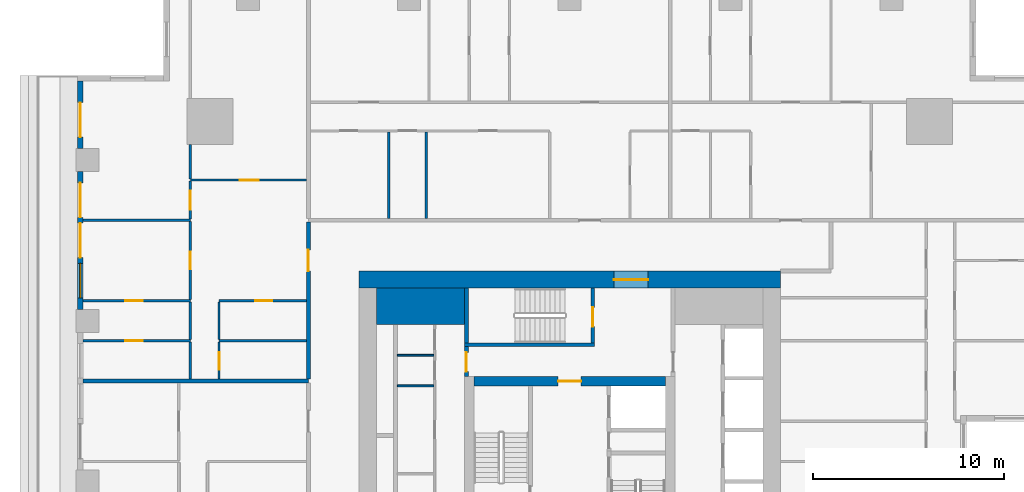
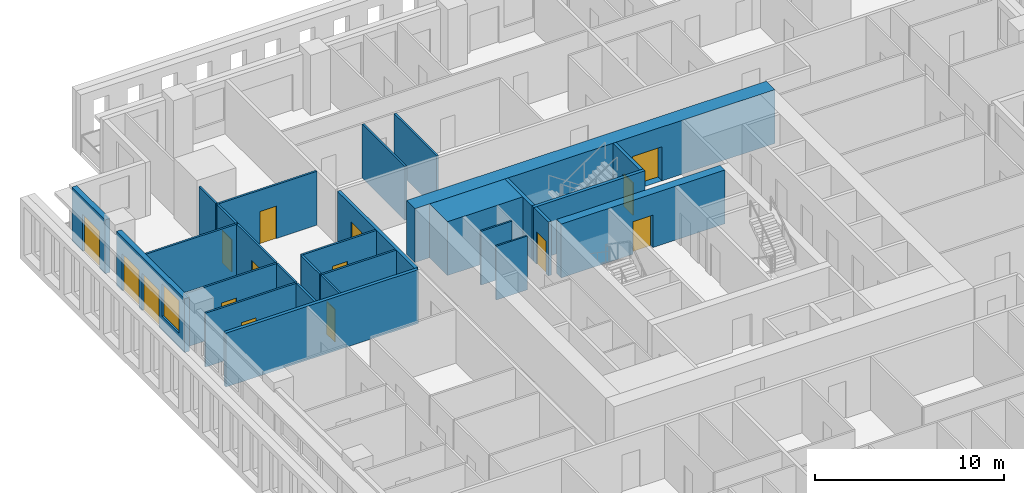
# One storey, part 7 of 16: 28 walls, 15 doors, 1 window, 16 openings.
"""IFC4 building model written with IfcOpenShell, lengths in metres."""

from ifc_helpers import new_model, si_unit, direction, frame, frame_2d, origin, place, context, subcontext, project, spatial, rectangle, extrude, material, layer, layer_set, type_object, element, fill, save


model = new_model("IFC4")

# Units and contexts
model_context = context("Model", 3, precision=1e-05, world=origin(), true_north=direction((0.0, 1.0)))
body_context = subcontext(model_context, "Body", "Model", "MODEL_VIEW")
ifc_project = project(units=[si_unit("LENGTHUNIT", "METRE"), si_unit("AREAUNIT", "SQUARE_METRE"), si_unit("VOLUMEUNIT", "CUBIC_METRE"), si_unit("PLANEANGLEUNIT", "RADIAN"), si_unit("MASSUNIT", "GRAM", prefix="KILO")], contexts=[model_context])

# Site, building, storey
site_placement = place(None, origin())
site = spatial("IfcSite", under=ifc_project, at=site_placement, CompositionType="ELEMENT")
building_placement = place(site_placement, origin())
building = spatial("IfcBuilding", under=site, at=building_placement, Name="Khepri Terraces", CompositionType="ELEMENT")
storey_placement = place(building_placement, frame((0.0, 0.0, 192.300048828125)))
storey = spatial("IfcBuildingStorey", under=building, at=storey_placement, Name="L45", CompositionType="ELEMENT", Elevation=192.300048828125)

# Walls
ifc_material_1 = material(Name="Concrete C50/60", Category="concrete")
ifc_layer_1 = layer(ifc_material_1, 1.89990234375, Name="Concrete C50/60", Category="concrete")
ifc_layer_set_1 = layer_set([ifc_layer_1], Name="Concrete C50/60")
wall_type_1 = type_object("IfcWallType", Name="Core wall 1900 C50/60", PredefinedType="SHEAR", material=ifc_layer_set_1)
wall_1_placement = place(storey_placement, frame((-10.10009765625, 9.14990234375, 0.0), z_axis=(0.0, 0.0, 1.0), x_axis=(1.0, 0.0, 0.0)))
element("IfcWall", 1, at=wall_1_placement, inside=storey, type_object=wall_type_1, Name="Core wall PR03 L45", PredefinedType="SHEAR", context=body_context, shape_type="SweptSolid", body=[
    extrude(rectangle(XDim=4.60009765625, YDim=1.89990234375, at=frame_2d((2.300048828125, 0.0))), origin(), (0.0, 0.0, 1.0), 3.47998046875),
])
ifc_layer_2 = layer(ifc_material_1, 0.199951171875, Name="Concrete C50/60", Category="concrete")
ifc_layer_set_2 = layer_set([ifc_layer_2], Name="Concrete C50/60")
wall_type_2 = type_object("IfcWallType", Name="Core wall 200 C50/60", PredefinedType="SHEAR", material=ifc_layer_set_2)
wall_2_placement = place(storey_placement, frame((-5.5, 7.14990234375, 0.0), z_axis=(0.0, 0.0, 1.0), x_axis=(1.0, 0.0, 0.0)))
element("IfcWall", 2, at=wall_2_placement, inside=storey, type_object=wall_type_2, Name="Core wall ST05 L45", PredefinedType="SHEAR", context=body_context, shape_type="SweptSolid", body=[
    extrude(rectangle(XDim=6.800048828125, YDim=0.199951171875, at=frame_2d((3.39990234375, 0.0))), origin(), (0.0, 0.0, 1.0), 3.47998046875),
])
wall_3_placement = place(storey_placement, frame((-5.39990234375, 7.25, 0.0), z_axis=(0.0, 0.0, 1.0), x_axis=(0.0, 1.0, 0.0)))
element("IfcWall", 3, at=wall_3_placement, inside=storey, type_object=wall_type_2, Name="Core wall ST06 L45", PredefinedType="SHEAR", context=body_context, shape_type="SweptSolid", body=[
    extrude(rectangle(XDim=2.85009765625, YDim=0.199951171875, at=frame_2d((1.425048828125, 0.0))), origin(), (0.0, 0.0, 1.0), 3.47998046875),
])

# Wall, opening, door
wall_4_placement = place(storey_placement, frame((1.199951171875, 7.25, 0.0), z_axis=(0.0, 0.0, 1.0), x_axis=(0.0, 1.0, 0.0)))
wall_4 = element("IfcWall", 4, at=wall_4_placement, inside=storey, type_object=wall_type_2, Name="Core wall ST07 L45", PredefinedType="SHEAR", context=body_context, shape_type="SweptSolid", body=[
    extrude(rectangle(XDim=2.85009765625, YDim=0.199951171875, at=frame_2d((1.425048828125, 0.0))), origin(), (0.0, 0.0, 1.0), 3.47998046875),
])
opening_1_placement = place(wall_4_placement, frame((0.85009765625, 0.0, 0.0)))
opening_1 = element("IfcOpeningElement", 5, at=opening_1_placement, cuts=wall_4, Name="Opening L45-C15", PredefinedType="OPENING", context=body_context, shape_type="SweptSolid", body=[
    extrude(rectangle(XDim=1.0, YDim=2.10009765625, at=frame_2d((0.5, 1.050048828125))), frame((0.0, 0.10986328125, 0.0), z_axis=(0.0, -1.0, 0.0), x_axis=(1.0, 0.0, 0.0)), (0.0, 0.0, 1.0), 0.219970703125),
])
ifc_material_2 = material(Name="Painted steel", Category="steel")
door_type_1 = type_object("IfcDoorType", Name="DR-CORE-STAIR-1000", OperationType="NOTDEFINED", PredefinedType="DOOR", material=ifc_material_2)
door_1_placement = place(opening_1_placement, origin())
door_1 = element("IfcDoor", 6, at=door_1_placement, inside=storey, type_object=door_type_1, Name="Stair door L45-C15", OperationType="SINGLE_SWING_LEFT", OverallHeight=2.10009765625, OverallWidth=1.0, PredefinedType="DOOR", context=body_context, shape_type="SweptSolid", body=[
    extrude(rectangle(XDim=1.0, YDim=2.10009765625, at=frame_2d((0.5, 1.050048828125))), frame((0.0, 0.02490234375, 0.0), z_axis=(0.0, -1.0, 0.0), x_axis=(1.0, 0.0, 0.0)), (0.0, 0.0, 1.0), 0.050048828125),
])
fill(opening_1, door_1)

ifc_layer_3 = layer(ifc_material_1, 0.5, Name="Concrete C50/60", Category="concrete")
ifc_layer_set_3 = layer_set([ifc_layer_3], Name="Concrete C50/60")
wall_type_3 = type_object("IfcWallType", Name="Core wall 500 C50/60", PredefinedType="SHEAR", material=ifc_layer_set_3)
wall_5_placement = place(storey_placement, frame((-5.0, 5.25, 0.0), z_axis=(0.0, 0.0, 1.0), x_axis=(1.0, 0.0, 0.0)))
wall_5 = element("IfcWall", 7, at=wall_5_placement, inside=storey, type_object=wall_type_3, Name="Core wall BX04 L45", PredefinedType="SHEAR", context=body_context, shape_type="SweptSolid", body=[
    extrude(rectangle(XDim=10.0, YDim=0.5, at=frame_2d((5.0, 0.0))), origin(), (0.0, 0.0, 1.0), 3.47998046875),
])
opening_2_placement = place(wall_5_placement, frame((4.39990234375, 0.0, 0.0)))
opening_2 = element("IfcOpeningElement", 8, at=opening_2_placement, cuts=wall_5, Name="Opening L45-C13", PredefinedType="OPENING", context=body_context, shape_type="SweptSolid", body=[
    extrude(rectangle(XDim=1.199951171875, YDim=2.10009765625, at=frame_2d((0.60009765625, 1.050048828125))), frame((0.0, 0.260009765625, 0.0), z_axis=(0.0, -1.0, 0.0), x_axis=(1.0, 0.0, 0.0)), (0.0, 0.0, 1.0), 0.52001953125),
])
door_type_2 = type_object("IfcDoorType", Name="DR-CORE-FF-LOBBY-1200", OperationType="NOTDEFINED", PredefinedType="DOOR", material=ifc_material_2)
door_2_placement = place(opening_2_placement, frame((1.199951171875, 0.0, 0.0), z_axis=(0.0, 0.0, 1.0), x_axis=(-1.0, 0.0, 0.0)))
door_2 = element("IfcDoor", 9, at=door_2_placement, inside=storey, type_object=door_type_2, Name="Firefighting lobby door L45-C13", OperationType="SINGLE_SWING_LEFT", OverallHeight=2.10009765625, OverallWidth=1.199951171875, PredefinedType="DOOR", context=body_context, shape_type="SweptSolid", body=[
    extrude(rectangle(XDim=1.199951171875, YDim=2.10009765625, at=frame_2d((0.60009765625, 1.050048828125))), frame((0.0, 0.02490234375, 0.0), z_axis=(0.0, -1.0, 0.0), x_axis=(1.0, 0.0, 0.0)), (0.0, 0.0, 1.0), 0.050048828125),
])
fill(opening_2, door_2)

ifc_layer_4 = layer(ifc_material_1, 0.89990234375, Name="Concrete C50/60", Category="concrete")
ifc_layer_set_4 = layer_set([ifc_layer_4], Name="Concrete C50/60")
wall_type_4 = type_object("IfcWallType", Name="Core wall 900 C50/60", PredefinedType="SHEAR", material=ifc_layer_set_4)
wall_6_placement = place(storey_placement, frame((-11.0, 10.550048828125, 0.0), z_axis=(0.0, 0.0, 1.0), x_axis=(1.0, 0.0, 0.0)))
wall_6 = element("IfcWall", 10, at=wall_6_placement, inside=storey, type_object=wall_type_4, Name="Core wall OW-N L45", PredefinedType="SHEAR", context=body_context, shape_type="SweptSolid", body=[
    extrude(rectangle(XDim=22.0, YDim=0.89990234375, at=frame_2d((11.0, 0.0))), origin(), (0.0, 0.0, 1.0), 3.47998046875),
])
opening_3_placement = place(wall_6_placement, frame((13.300048828125, 0.0, 0.0)))
opening_3 = element("IfcOpeningElement", 11, at=opening_3_placement, cuts=wall_6, Name="Opening L45-C20", PredefinedType="OPENING", context=body_context, shape_type="SweptSolid", body=[
    extrude(rectangle(XDim=1.800048828125, YDim=2.199951171875, at=frame_2d((0.89990234375, 1.10009765625))), frame((0.0, 0.4599609375, 0.0), z_axis=(0.0, -1.0, 0.0), x_axis=(1.0, 0.0, 0.0)), (0.0, 0.0, 1.0), 0.919921875),
])
door_type_3 = type_object("IfcDoorType", Name="DR-CORE-ENTRANCE-1800", OperationType="NOTDEFINED", PredefinedType="DOOR", material=ifc_material_2)
door_3_placement = place(opening_3_placement, origin())
door_3 = element("IfcDoor", 12, at=door_3_placement, inside=storey, type_object=door_type_3, Name="Core entrance door pair L45-C20", OperationType="DOUBLE_DOOR_SINGLE_SWING", OverallHeight=2.199951171875, OverallWidth=1.800048828125, PredefinedType="DOOR", context=body_context, shape_type="SweptSolid", body=[
    extrude(rectangle(XDim=1.800048828125, YDim=2.199951171875, at=frame_2d((0.89990234375, 1.10009765625))), frame((0.0, 0.02490234375, 0.0), z_axis=(0.0, -1.0, 0.0), x_axis=(1.0, 0.0, 0.0)), (0.0, 0.0, 1.0), 0.050048828125),
])
fill(opening_3, door_3)

# Walls
ifc_material_3 = material(Name="Fire-rated gypsum board partition")
ifc_layer_5 = layer(ifc_material_3, 0.10009765625, Name="Fire-rated gypsum board partition")
ifc_layer_set_5 = layer_set([ifc_layer_5], Name="Fire-rated gypsum board partition")
wall_type_5 = type_object("IfcWallType", Name="WL-CORE-PART-100", PredefinedType="PARTITIONING", material=ifc_layer_set_5)
for number, where, z_axis, x_axis, name in (
    (13, (-9.0, 5.0, 0.0), (0.0, 0.0, 1.0), (1.0, 0.0, 0.0), "Core partition PT11 L45"),
    (14, (-9.0, 6.60009765625, 0.0), (0.0, 0.0, 1.0), (1.0, 0.0, 0.0), "Core partition PT14 L45"),
):
    element("IfcWall", number, at=place(storey_placement, frame(where, z_axis=z_axis, x_axis=x_axis)), inside=storey, type_object=wall_type_5, Name=name, PredefinedType="PARTITIONING", context=body_context, shape_type="SweptSolid", body=[
        extrude(rectangle(XDim=1.89990234375, YDim=0.10009765625, at=frame_2d((0.949951171875, 0.0))), origin(), (0.0, 0.0, 1.0), 3.47998046875),
    ])

# Wall, opening, door
ifc_layer_6 = layer(ifc_material_3, 0.199951171875, Name="Fire-rated gypsum board partition")
ifc_layer_set_6 = layer_set([ifc_layer_6], Name="Fire-rated gypsum board partition")
wall_type_6 = type_object("IfcWallType", Name="WL-CORE-PART-200", PredefinedType="PARTITIONING", material=ifc_layer_set_6)
wall_7_placement = place(storey_placement, frame((-5.39990234375, 5.5, 0.0), z_axis=(0.0, 0.0, 1.0), x_axis=(0.0, 1.0, 0.0)))
wall_7 = element("IfcWall", 15, at=wall_7_placement, inside=storey, type_object=wall_type_6, Name="Core partition PT12 L45", PredefinedType="PARTITIONING", context=body_context, shape_type="SweptSolid", body=[
    extrude(rectangle(XDim=1.550048828125, YDim=0.199951171875, at=frame_2d((0.77490234375, 0.0))), origin(), (0.0, 0.0, 1.0), 3.47998046875),
])
opening_4_placement = place(wall_7_placement, frame((0.25, 0.0, 0.0)))
opening_4 = element("IfcOpeningElement", 16, at=opening_4_placement, cuts=wall_7, Name="Opening L45-C16", PredefinedType="OPENING", context=body_context, shape_type="SweptSolid", body=[
    extrude(rectangle(XDim=1.0, YDim=2.10009765625, at=frame_2d((0.5, 1.050048828125))), frame((0.0, 0.10986328125, 0.0), z_axis=(0.0, -1.0, 0.0), x_axis=(1.0, 0.0, 0.0)), (0.0, 0.0, 1.0), 0.219970703125),
])
door_type_4 = type_object("IfcDoorType", Name="DR-CORE-LOBBY-1000", OperationType="NOTDEFINED", PredefinedType="DOOR", material=ifc_material_2)
door_4_placement = place(opening_4_placement, frame((1.0, 0.0, 0.0), z_axis=(0.0, 0.0, 1.0), x_axis=(-1.0, 0.0, 0.0)))
door_4 = element("IfcDoor", 17, at=door_4_placement, inside=storey, type_object=door_type_4, Name="Lobby door L45-C16", OperationType="SINGLE_SWING_RIGHT", OverallHeight=2.10009765625, OverallWidth=1.0, PredefinedType="DOOR", context=body_context, shape_type="SweptSolid", body=[
    extrude(rectangle(XDim=1.0, YDim=2.10009765625, at=frame_2d((0.5, 1.050048828125))), frame((0.0, 0.02490234375, 0.0), z_axis=(0.0, -1.0, 0.0), x_axis=(1.0, 0.0, 0.0)), (0.0, 0.0, 1.0), 0.050048828125),
])
fill(opening_4, door_4)

# Wall
ifc_material_4 = material(Name="Fire-rated gypsum plasterboard partition, mineral wool")
ifc_layer_7 = layer(ifc_material_4, 0.199951171875, Name="Fire-rated gypsum plasterboard partition, mineral wool")
ifc_layer_set_7 = layer_set([ifc_layer_7], Name="Fire-rated gypsum plasterboard partition, mineral wool")
wall_type_7 = type_object("IfcWallType", Name="WL-CORR-200", PredefinedType="PARTITIONING", material=ifc_layer_set_7)
wall_8_placement = place(storey_placement, frame((-25.419921875, 5.25, 0.0), z_axis=(0.0, 0.0, 1.0), x_axis=(1.0, 0.0, 0.0)))
element("IfcWall", 18, at=wall_8_placement, inside=storey, type_object=wall_type_7, Name="Partition P-067 L45", PredefinedType="PARTITIONING", context=body_context, shape_type="SweptSolid", body=[
    extrude(rectangle(XDim=11.77001953125, YDim=0.199951171875, at=frame_2d((5.885009765625, 0.0))), origin(), (0.0, 0.0, 1.0), 3.47998046875),
])

# Wall, opening, door
wall_9_placement = place(storey_placement, frame((-13.64990234375, 5.35009765625, 0.0), z_axis=(0.0, 0.0, 1.0), x_axis=(0.0, 1.0, 0.0)))
wall_9 = element("IfcWall", 19, at=wall_9_placement, inside=storey, type_object=wall_type_7, Name="Partition P-070 L45", PredefinedType="PARTITIONING", context=body_context, shape_type="SweptSolid", body=[
    extrude(rectangle(XDim=8.199951171875, YDim=0.199951171875, at=frame_2d((4.10009765625, 0.0))), origin(), (0.0, 0.0, 1.0), 3.47998046875),
])
opening_5_placement = place(wall_9_placement, frame((5.64990234375, 0.0, 0.0)))
opening_5 = element("IfcOpeningElement", 20, at=opening_5_placement, cuts=wall_9, Name="Opening D1", PredefinedType="OPENING", context=body_context, shape_type="SweptSolid", body=[
    extrude(rectangle(XDim=1.10009765625, YDim=2.39990234375, at=frame_2d((0.550048828125, 1.199951171875))), frame((0.0, 0.10986328125, 0.0), z_axis=(0.0, -1.0, 0.0), x_axis=(1.0, 0.0, 0.0)), (0.0, 0.0, 1.0), 0.219970703125),
])
ifc_material_5 = material(Name="Solid-core timber door leaf, flat entrance door", Category="wood")
door_type_5 = type_object("IfcDoorType", Name="DR-ENT-1100", OperationType="NOTDEFINED", PredefinedType="DOOR", material=ifc_material_5)
door_5_placement = place(opening_5_placement, origin())
door_5 = element("IfcDoor", 21, at=door_5_placement, inside=storey, type_object=door_type_5, Name="Flat D1 entrance door", OperationType="SINGLE_SWING_RIGHT", OverallHeight=2.39990234375, OverallWidth=1.10009765625, PredefinedType="DOOR", context=body_context, shape_type="SweptSolid", body=[
    extrude(rectangle(XDim=1.10009765625, YDim=2.39990234375, at=frame_2d((0.550048828125, 1.199951171875))), frame((0.0, 0.02490234375, 0.0), z_axis=(0.0, -1.0, 0.0), x_axis=(1.0, 0.0, 0.0)), (0.0, 0.0, 1.0), 0.050048828125),
])
fill(opening_5, door_5)

ifc_material_6 = material(Name="Precast concrete C50/60 warm stone", Category="masonry")
ifc_layer_8 = layer(ifc_material_6, 0.300048828125, Name="Precast concrete C50/60 warm stone", Category="masonry")
ifc_layer_set_8 = layer_set([ifc_layer_8], Name="Precast concrete C50/60 warm stone")
wall_type_8 = type_object("IfcWallType", Name="WL-EXT-PRECAST-300", PredefinedType="STANDARD", material=ifc_layer_set_8)
wall_10_placement = place(storey_placement, frame((-25.570068359375, 20.919921875, 0.0), z_axis=(0.0, 0.0, 1.0), x_axis=(0.0, -1.0, 0.0)))
wall_10 = element("IfcWall", 22, at=wall_10_placement, inside=storey, type_object=wall_type_8, Name="External wall L45 W", PredefinedType="STANDARD", context=body_context, shape_type="SweptSolid", body=[
    extrude(rectangle(XDim=3.52001953125, YDim=0.300048828125, at=frame_2d((1.760009765625, 0.0))), origin(), (0.0, 0.0, 1.0), 3.47998046875),
])
opening_6_placement = place(wall_10_placement, frame((1.1201171875, 0.0, 0.0)))
opening_6 = element("IfcOpeningElement", 23, at=opening_6_placement, cuts=wall_10, Name="Opening ED-L45-11", PredefinedType="OPENING", context=body_context, shape_type="SweptSolid", body=[
    extrude(rectangle(XDim=1.800048828125, YDim=2.39990234375, at=frame_2d((0.89990234375, 1.199951171875))), frame((0.0, 0.16015625, 0.0), z_axis=(0.0, -1.0, 0.0), x_axis=(1.0, 0.0, 0.0)), (0.0, 0.0, 1.0), 0.320068359375),
])
ifc_material_7 = material(Name="Anodised aluminium bronze glazed door", Category="aluminium")
door_type_6 = type_object("IfcDoorType", Name="DR-BAL-SLIDE-1800x2400", OperationType="NOTDEFINED", PredefinedType="DOOR", material=ifc_material_7)
door_6_placement = place(opening_6_placement, origin())
door_6 = element("IfcDoor", 24, at=door_6_placement, inside=storey, type_object=door_type_6, Name="Balcony door L45 W", OperationType="SLIDING_TO_RIGHT", OverallHeight=2.39990234375, OverallWidth=1.800048828125, PredefinedType="DOOR", context=body_context, shape_type="SweptSolid", body=[
    extrude(rectangle(XDim=1.800048828125, YDim=2.39990234375, at=frame_2d((0.89990234375, 1.199951171875))), frame((0.0, 0.02490234375, 0.0), z_axis=(0.0, -1.0, 0.0), x_axis=(1.0, 0.0, 0.0)), (0.0, 0.0, 1.0), 0.050048828125),
])
fill(opening_6, door_6)

# Wall, openings, doors, window
wall_11_placement = place(storey_placement, frame((-25.570068359375, 16.199951171875, 0.0), z_axis=(0.0, 0.0, 1.0), x_axis=(0.0, -1.0, 0.0)))
wall_11 = element("IfcWall", 25, at=wall_11_placement, inside=storey, type_object=wall_type_8, Name="External wall L45 W", PredefinedType="STANDARD", context=body_context, shape_type="SweptSolid", body=[
    extrude(rectangle(XDim=7.199951171875, YDim=0.300048828125, at=frame_2d((3.60009765625, 0.0))), origin(), (0.0, 0.0, 1.0), 3.47998046875),
])
opening_7_placement = place(wall_11_placement, frame((0.60009765625, 0.0, 0.0)))
opening_7 = element("IfcOpeningElement", 26, at=opening_7_placement, cuts=wall_11, Name="Opening ED-L45-12", PredefinedType="OPENING", context=body_context, shape_type="SweptSolid", body=[
    extrude(rectangle(XDim=1.800048828125, YDim=2.39990234375, at=frame_2d((0.89990234375, 1.199951171875))), frame((0.0, 0.16015625, 0.0), z_axis=(0.0, -1.0, 0.0), x_axis=(1.0, 0.0, 0.0)), (0.0, 0.0, 1.0), 0.320068359375),
])
opening_8_placement = place(wall_11_placement, frame((2.699951171875, 0.0, 0.0)))
opening_8 = element("IfcOpeningElement", 27, at=opening_8_placement, cuts=wall_11, Name="Opening ED-L45-13", PredefinedType="OPENING", context=body_context, shape_type="SweptSolid", body=[
    extrude(rectangle(XDim=1.800048828125, YDim=2.39990234375, at=frame_2d((0.89990234375, 1.199951171875))), frame((0.0, 0.16015625, 0.0), z_axis=(0.0, -1.0, 0.0), x_axis=(1.0, 0.0, 0.0)), (0.0, 0.0, 1.0), 0.320068359375),
])
opening_9_placement = place(wall_11_placement, frame((4.800048828125, 0.0, 0.89990234375)))
opening_9 = element("IfcOpeningElement", 28, at=opening_9_placement, cuts=wall_11, Name="Opening W1", PredefinedType="OPENING", context=body_context, shape_type="SweptSolid", body=[
    extrude(rectangle(XDim=1.800048828125, YDim=2.10009765625, at=frame_2d((0.89990234375, 1.050048828125))), frame((0.0, 0.16015625, 0.0), z_axis=(0.0, -1.0, 0.0), x_axis=(1.0, 0.0, 0.0)), (0.0, 0.0, 1.0), 0.320068359375),
])
door_7_placement = place(opening_7_placement, origin())
door_7 = element("IfcDoor", 29, at=door_7_placement, inside=storey, type_object=door_type_6, Name="Balcony door L45 W", OperationType="SLIDING_TO_LEFT", OverallHeight=2.39990234375, OverallWidth=1.800048828125, PredefinedType="DOOR", context=body_context, shape_type="SweptSolid", body=[
    extrude(rectangle(XDim=1.800048828125, YDim=2.39990234375, at=frame_2d((0.89990234375, 1.199951171875))), frame((0.0, 0.02490234375, 0.0), z_axis=(0.0, -1.0, 0.0), x_axis=(1.0, 0.0, 0.0)), (0.0, 0.0, 1.0), 0.050048828125),
])
fill(opening_7, door_7)
door_8_placement = place(opening_8_placement, origin())
door_8 = element("IfcDoor", 30, at=door_8_placement, inside=storey, type_object=door_type_6, Name="Balcony door L45 W", OperationType="SLIDING_TO_RIGHT", OverallHeight=2.39990234375, OverallWidth=1.800048828125, PredefinedType="DOOR", context=body_context, shape_type="SweptSolid", body=[
    extrude(rectangle(XDim=1.800048828125, YDim=2.39990234375, at=frame_2d((0.89990234375, 1.199951171875))), frame((0.0, 0.02490234375, 0.0), z_axis=(0.0, -1.0, 0.0), x_axis=(1.0, 0.0, 0.0)), (0.0, 0.0, 1.0), 0.050048828125),
])
fill(opening_8, door_8)
ifc_material_8 = material(Name="Clear glass", Category="glass")
window_type = type_object("IfcWindowType", Name="WIN-RES-1800x2100", PartitioningType="SINGLE_PANEL", PredefinedType="WINDOW", material=ifc_material_8)
window_placement = place(opening_9_placement, origin())
window = element("IfcWindow", 31, at=window_placement, inside=storey, type_object=window_type, Name="Window L45 W", OverallHeight=2.10009765625, OverallWidth=1.800048828125, PartitioningType="SINGLE_PANEL", PredefinedType="WINDOW", context=body_context, shape_type="SweptSolid", body=[
    extrude(rectangle(XDim=1.800048828125, YDim=2.10009765625, at=frame_2d((0.89990234375, 1.050048828125))), frame((0.0, 0.030029296875, 0.0), z_axis=(0.0, -1.0, 0.0), x_axis=(1.0, 0.0, 0.0)), (0.0, 0.0, 1.0), 0.06005859375),
])
fill(opening_9, window)

# Wall
ifc_material_9 = material(Name="Gypsum plasterboard partition")
ifc_layer_9 = layer(ifc_material_9, 0.1201171875, Name="Gypsum plasterboard partition")
ifc_layer_set_9 = layer_set([ifc_layer_9], Name="Gypsum plasterboard partition")
wall_type_9 = type_object("IfcWallType", Name="WL-PART-120", PredefinedType="PARTITIONING", material=ifc_layer_set_9)
wall_12_placement = place(storey_placement, frame((-19.820068359375, 5.35009765625, 0.0), z_axis=(0.0, 0.0, 1.0), x_axis=(0.0, 1.0, 0.0)))
element("IfcWall", 32, at=wall_12_placement, inside=storey, type_object=wall_type_9, Name="Partition P-068 L45", PredefinedType="PARTITIONING", context=body_context, shape_type="SweptSolid", body=[
    extrude(rectangle(XDim=1.93994140625, YDim=0.1201171875, at=frame_2d((0.969970703125, 0.0))), origin(), (0.0, 0.0, 1.0), 3.47998046875),
])

# Wall, opening, door
wall_13_placement = place(storey_placement, frame((-18.320068359375, 5.35009765625, 0.0), z_axis=(0.0, 0.0, 1.0), x_axis=(0.0, 1.0, 0.0)))
wall_13 = element("IfcWall", 33, at=wall_13_placement, inside=storey, type_object=wall_type_9, Name="Partition P-069 L45", PredefinedType="PARTITIONING", context=body_context, shape_type="SweptSolid", body=[
    extrude(rectangle(XDim=1.93994140625, YDim=0.1201171875, at=frame_2d((0.969970703125, 0.0))), origin(), (0.0, 0.0, 1.0), 3.47998046875),
])
opening_10_placement = place(wall_13_placement, frame((0.5, 0.0, 0.0)))
opening_10 = element("IfcOpeningElement", 34, at=opening_10_placement, cuts=wall_13, Name="Opening D3", PredefinedType="OPENING", context=body_context, shape_type="SweptSolid", body=[
    extrude(rectangle(XDim=0.89990234375, YDim=2.10009765625, at=frame_2d((0.449951171875, 1.050048828125))), frame((0.0, 0.070068359375, 0.0), z_axis=(0.0, -1.0, 0.0), x_axis=(1.0, 0.0, 0.0)), (0.0, 0.0, 1.0), 0.14013671875),
])
ifc_material_10 = material(Name="Timber door leaf", Category="wood")
door_type_7 = type_object("IfcDoorType", Name="DR-INT-900", OperationType="NOTDEFINED", PredefinedType="DOOR", material=ifc_material_10)
door_9_placement = place(opening_10_placement, frame((0.89990234375, 0.0, 0.0), z_axis=(0.0, 0.0, 1.0), x_axis=(-1.0, 0.0, 0.0)))
door_9 = element("IfcDoor", 35, at=door_9_placement, inside=storey, type_object=door_type_7, Name="Door Kitchen", OperationType="SINGLE_SWING_RIGHT", OverallHeight=2.10009765625, OverallWidth=0.89990234375, PredefinedType="DOOR", context=body_context, shape_type="SweptSolid", body=[
    extrude(rectangle(XDim=0.89990234375, YDim=2.10009765625, at=frame_2d((0.449951171875, 1.050048828125))), frame((0.0, 0.02490234375, 0.0), z_axis=(0.0, -1.0, 0.0), x_axis=(1.0, 0.0, 0.0)), (0.0, 0.0, 1.0), 0.050048828125),
])
fill(opening_10, door_9)

wall_14_placement = place(storey_placement, frame((-25.419921875, 7.35009765625, 0.0), z_axis=(0.0, 0.0, 1.0), x_axis=(1.0, 0.0, 0.0)))
wall_14 = element("IfcWall", 36, at=wall_14_placement, inside=storey, type_object=wall_type_9, Name="Partition P-071 L45", PredefinedType="PARTITIONING", context=body_context, shape_type="SweptSolid", body=[
    extrude(rectangle(XDim=5.599853515625, YDim=0.1201171875, at=frame_2d((2.7998046875, 0.0))), origin(), (0.0, 0.0, 1.0), 3.47998046875),
])
opening_11_placement = place(wall_14_placement, frame((2.199951171875, 0.0, 0.0)))
opening_11 = element("IfcOpeningElement", 37, at=opening_11_placement, cuts=wall_14, Name="Opening D4", PredefinedType="OPENING", context=body_context, shape_type="SweptSolid", body=[
    extrude(rectangle(XDim=0.89990234375, YDim=2.10009765625, at=frame_2d((0.449951171875, 1.050048828125))), frame((0.0, 0.070068359375, 0.0), z_axis=(0.0, -1.0, 0.0), x_axis=(1.0, 0.0, 0.0)), (0.0, 0.0, 1.0), 0.14013671875),
])
ifc_material_11 = material(Name="Timber door leaf, moisture resistant", Category="wood")
door_type_8 = type_object("IfcDoorType", Name="DR-WET-900", OperationType="NOTDEFINED", PredefinedType="DOOR", material=ifc_material_11)
door_10_placement = place(opening_11_placement, frame((0.89990234375, 0.0, 0.0), z_axis=(0.0, 0.0, 1.0), x_axis=(-1.0, 0.0, 0.0)))
door_10 = element("IfcDoor", 38, at=door_10_placement, inside=storey, type_object=door_type_8, Name="Door Bathroom", OperationType="SINGLE_SWING_RIGHT", OverallHeight=2.10009765625, OverallWidth=0.89990234375, PredefinedType="DOOR", context=body_context, shape_type="SweptSolid", body=[
    extrude(rectangle(XDim=0.89990234375, YDim=2.10009765625, at=frame_2d((0.449951171875, 1.050048828125))), frame((0.0, 0.02490234375, 0.0), z_axis=(0.0, -1.0, 0.0), x_axis=(1.0, 0.0, 0.0)), (0.0, 0.0, 1.0), 0.050048828125),
])
fill(opening_11, door_10)

# Walls
wall_15_placement = place(storey_placement, frame((-18.320068359375, 7.35009765625, 0.0), z_axis=(0.0, 0.0, 1.0), x_axis=(1.0, 0.0, 0.0)))
element("IfcWall", 39, at=wall_15_placement, inside=storey, type_object=wall_type_9, Name="Partition P-072 L45", PredefinedType="PARTITIONING", context=body_context, shape_type="SweptSolid", body=[
    extrude(rectangle(XDim=4.570068359375, YDim=0.1201171875, at=frame_2d((2.28515625, 0.0))), origin(), (0.0, 0.0, 1.0), 3.47998046875),
])
for number, where, z_axis, x_axis, name in (
    (40, (-19.820068359375, 7.409912109375, 0.0), (0.0, 0.0, 1.0), (0.0, 1.0, 0.0), "Partition P-075 L45"),
    (41, (-18.320068359375, 7.409912109375, 0.0), (0.0, 0.0, 1.0), (0.0, 1.0, 0.0), "Partition P-076 L45"),
):
    element("IfcWall", number, at=place(storey_placement, frame(where, z_axis=z_axis, x_axis=x_axis)), inside=storey, type_object=wall_type_9, Name=name, PredefinedType="PARTITIONING", context=body_context, shape_type="SweptSolid", body=[
        extrude(rectangle(XDim=1.97998046875, YDim=0.1201171875, at=frame_2d((0.989990234375, 0.0))), origin(), (0.0, 0.0, 1.0), 3.47998046875),
    ])

# Wall, opening, door
wall_16_placement = place(storey_placement, frame((-25.419921875, 9.449951171875, 0.0), z_axis=(0.0, 0.0, 1.0), x_axis=(1.0, 0.0, 0.0)))
wall_16 = element("IfcWall", 42, at=wall_16_placement, inside=storey, type_object=wall_type_9, Name="Partition P-079 L45", PredefinedType="PARTITIONING", context=body_context, shape_type="SweptSolid", body=[
    extrude(rectangle(XDim=5.599853515625, YDim=0.1201171875, at=frame_2d((2.7998046875, 0.0))), origin(), (0.0, 0.0, 1.0), 3.47998046875),
])
opening_12_placement = place(wall_16_placement, frame((2.199951171875, 0.0, 0.0)))
opening_12 = element("IfcOpeningElement", 43, at=opening_12_placement, cuts=wall_16, Name="Opening D3", PredefinedType="OPENING", context=body_context, shape_type="SweptSolid", body=[
    extrude(rectangle(XDim=0.89990234375, YDim=2.10009765625, at=frame_2d((0.449951171875, 1.050048828125))), frame((0.0, 0.070068359375, 0.0), z_axis=(0.0, -1.0, 0.0), x_axis=(1.0, 0.0, 0.0)), (0.0, 0.0, 1.0), 0.14013671875),
])
door_11_placement = place(opening_12_placement, frame((0.89990234375, 0.0, 0.0), z_axis=(0.0, 0.0, 1.0), x_axis=(-1.0, 0.0, 0.0)))
door_11 = element("IfcDoor", 44, at=door_11_placement, inside=storey, type_object=door_type_7, Name="Door Dressing Room", OperationType="SINGLE_SWING_RIGHT", OverallHeight=2.10009765625, OverallWidth=0.89990234375, PredefinedType="DOOR", context=body_context, shape_type="SweptSolid", body=[
    extrude(rectangle(XDim=0.89990234375, YDim=2.10009765625, at=frame_2d((0.449951171875, 1.050048828125))), frame((0.0, 0.02490234375, 0.0), z_axis=(0.0, -1.0, 0.0), x_axis=(1.0, 0.0, 0.0)), (0.0, 0.0, 1.0), 0.050048828125),
])
fill(opening_12, door_11)

wall_17_placement = place(storey_placement, frame((-18.320068359375, 9.449951171875, 0.0), z_axis=(0.0, 0.0, 1.0), x_axis=(1.0, 0.0, 0.0)))
wall_17 = element("IfcWall", 45, at=wall_17_placement, inside=storey, type_object=wall_type_9, Name="Partition P-080 L45", PredefinedType="PARTITIONING", context=body_context, shape_type="SweptSolid", body=[
    extrude(rectangle(XDim=4.570068359375, YDim=0.1201171875, at=frame_2d((2.28515625, 0.0))), origin(), (0.0, 0.0, 1.0), 3.47998046875),
])
opening_13_placement = place(wall_17_placement, frame((1.885009765625, 0.0, 0.0)))
opening_13 = element("IfcOpeningElement", 46, at=opening_13_placement, cuts=wall_17, Name="Opening D4", PredefinedType="OPENING", context=body_context, shape_type="SweptSolid", body=[
    extrude(rectangle(XDim=0.89990234375, YDim=2.10009765625, at=frame_2d((0.449951171875, 1.050048828125))), frame((0.0, 0.070068359375, 0.0), z_axis=(0.0, -1.0, 0.0), x_axis=(1.0, 0.0, 0.0)), (0.0, 0.0, 1.0), 0.14013671875),
])
door_12_placement = place(opening_13_placement, frame((0.89990234375, 0.0, 0.0), z_axis=(0.0, 0.0, 1.0), x_axis=(-1.0, 0.0, 0.0)))
door_12 = element("IfcDoor", 47, at=door_12_placement, inside=storey, type_object=door_type_8, Name="Door Guest Bathroom", OperationType="SINGLE_SWING_LEFT", OverallHeight=2.10009765625, OverallWidth=0.89990234375, PredefinedType="DOOR", context=body_context, shape_type="SweptSolid", body=[
    extrude(rectangle(XDim=0.89990234375, YDim=2.10009765625, at=frame_2d((0.449951171875, 1.050048828125))), frame((0.0, 0.02490234375, 0.0), z_axis=(0.0, -1.0, 0.0), x_axis=(1.0, 0.0, 0.0)), (0.0, 0.0, 1.0), 0.050048828125),
])
fill(opening_13, door_12)

wall_18_placement = place(storey_placement, frame((-19.820068359375, 9.510009765625, 0.0), z_axis=(0.0, 0.0, 1.0), x_axis=(0.0, 1.0, 0.0)))
wall_18 = element("IfcWall", 48, at=wall_18_placement, inside=storey, type_object=wall_type_9, Name="Partition P-081 L45", PredefinedType="PARTITIONING", context=body_context, shape_type="SweptSolid", body=[
    extrude(rectangle(XDim=4.080078125, YDim=0.1201171875, at=frame_2d((2.0400390625, 0.0))), origin(), (0.0, 0.0, 1.0), 3.47998046875),
])
opening_14_placement = place(wall_18_placement, frame((1.590087890625, 0.0, 0.0)))
opening_14 = element("IfcOpeningElement", 49, at=opening_14_placement, cuts=wall_18, Name="Opening D3", PredefinedType="OPENING", context=body_context, shape_type="SweptSolid", body=[
    extrude(rectangle(XDim=0.89990234375, YDim=2.10009765625, at=frame_2d((0.449951171875, 1.050048828125))), frame((0.0, 0.070068359375, 0.0), z_axis=(0.0, -1.0, 0.0), x_axis=(1.0, 0.0, 0.0)), (0.0, 0.0, 1.0), 0.14013671875),
])
door_13_placement = place(opening_14_placement, origin())
door_13 = element("IfcDoor", 50, at=door_13_placement, inside=storey, type_object=door_type_7, Name="Door Master Bedroom", OperationType="SINGLE_SWING_RIGHT", OverallHeight=2.10009765625, OverallWidth=0.89990234375, PredefinedType="DOOR", context=body_context, shape_type="SweptSolid", body=[
    extrude(rectangle(XDim=0.89990234375, YDim=2.10009765625, at=frame_2d((0.449951171875, 1.050048828125))), frame((0.0, 0.02490234375, 0.0), z_axis=(0.0, -1.0, 0.0), x_axis=(1.0, 0.0, 0.0)), (0.0, 0.0, 1.0), 0.050048828125),
])
fill(opening_14, door_13)

# Wall
wall_19_placement = place(storey_placement, frame((-25.419921875, 13.64990234375, 0.0), z_axis=(0.0, 0.0, 1.0), x_axis=(1.0, 0.0, 0.0)))
element("IfcWall", 51, at=wall_19_placement, inside=storey, type_object=wall_type_9, Name="Partition P-088 L45", PredefinedType="PARTITIONING", context=body_context, shape_type="SweptSolid", body=[
    extrude(rectangle(XDim=5.599853515625, YDim=0.1201171875, at=frame_2d((2.7998046875, 0.0))), origin(), (0.0, 0.0, 1.0), 3.47998046875),
])

# Wall, opening, door
wall_20_placement = place(storey_placement, frame((-19.820068359375, 13.7099609375, 0.0), z_axis=(0.0, 0.0, 1.0), x_axis=(0.0, 1.0, 0.0)))
wall_20 = element("IfcWall", 52, at=wall_20_placement, inside=storey, type_object=wall_type_9, Name="Partition P-090 L45", PredefinedType="PARTITIONING", context=body_context, shape_type="SweptSolid", body=[
    extrude(rectangle(XDim=1.97998046875, YDim=0.1201171875, at=frame_2d((0.989990234375, 0.0))), origin(), (0.0, 0.0, 1.0), 3.47998046875),
])
opening_15_placement = place(wall_20_placement, frame((0.489990234375, 0.0, 0.0)))
opening_15 = element("IfcOpeningElement", 53, at=opening_15_placement, cuts=wall_20, Name="Opening D2", PredefinedType="OPENING", context=body_context, shape_type="SweptSolid", body=[
    extrude(rectangle(XDim=1.0, YDim=2.10009765625, at=frame_2d((0.5, 1.050048828125))), frame((0.0, 0.070068359375, 0.0), z_axis=(0.0, -1.0, 0.0), x_axis=(1.0, 0.0, 0.0)), (0.0, 0.0, 1.0), 0.14013671875),
])
ifc_material_12 = material(Name="Timber door leaf, living room door", Category="wood")
door_type_9 = type_object("IfcDoorType", Name="DR-INT-1000", OperationType="NOTDEFINED", PredefinedType="DOOR", material=ifc_material_12)
door_14_placement = place(opening_15_placement, origin())
door_14 = element("IfcDoor", 54, at=door_14_placement, inside=storey, type_object=door_type_9, Name="Door Living Room", OperationType="SINGLE_SWING_LEFT", OverallHeight=2.10009765625, OverallWidth=1.0, PredefinedType="DOOR", context=body_context, shape_type="SweptSolid", body=[
    extrude(rectangle(XDim=1.0, YDim=2.10009765625, at=frame_2d((0.5, 1.050048828125))), frame((0.0, 0.02490234375, 0.0), z_axis=(0.0, -1.0, 0.0), x_axis=(1.0, 0.0, 0.0)), (0.0, 0.0, 1.0), 0.050048828125),
])
fill(opening_15, door_14)

# Walls
for number, where, z_axis, x_axis, name in (
    (55, (-9.449951171875, 13.75, 0.0), (0.0, 0.0, 1.0), (0.0, 1.0, 0.0), "Partition P-092 L45"),
    (56, (-7.5, 13.75, 0.0), (0.0, 0.0, 1.0), (0.0, 1.0, 0.0), "Partition P-093 L45"),
):
    element("IfcWall", number, at=place(storey_placement, frame(where, z_axis=z_axis, x_axis=x_axis)), inside=storey, type_object=wall_type_9, Name=name, PredefinedType="PARTITIONING", context=body_context, shape_type="SweptSolid", body=[
        extrude(rectangle(XDim=4.510009765625, YDim=0.1201171875, at=frame_2d((2.2548828125, 0.0))), origin(), (0.0, 0.0, 1.0), 3.47998046875),
    ])

# Wall, opening, door
wall_21_placement = place(storey_placement, frame((-19.820068359375, 15.75, 0.0), z_axis=(0.0, 0.0, 1.0), x_axis=(1.0, 0.0, 0.0)))
wall_21 = element("IfcWall", 57, at=wall_21_placement, inside=storey, type_object=wall_type_9, Name="Partition P-100 L45", PredefinedType="PARTITIONING", context=body_context, shape_type="SweptSolid", body=[
    extrude(rectangle(XDim=6.070068359375, YDim=0.1201171875, at=frame_2d((3.03515625, 0.0))), origin(), (0.0, 0.0, 1.0), 3.47998046875),
])
opening_16_placement = place(wall_21_placement, frame((2.5849609375, 0.0, 0.0)))
opening_16 = element("IfcOpeningElement", 58, at=opening_16_placement, cuts=wall_21, Name="Opening D2", PredefinedType="OPENING", context=body_context, shape_type="SweptSolid", body=[
    extrude(rectangle(XDim=1.0, YDim=2.10009765625, at=frame_2d((0.5, 1.050048828125))), frame((0.0, 0.070068359375, 0.0), z_axis=(0.0, -1.0, 0.0), x_axis=(1.0, 0.0, 0.0)), (0.0, 0.0, 1.0), 0.14013671875),
])
door_15_placement = place(opening_16_placement, origin())
door_15 = element("IfcDoor", 59, at=door_15_placement, inside=storey, type_object=door_type_9, Name="Door Family Room", OperationType="SINGLE_SWING_RIGHT", OverallHeight=2.10009765625, OverallWidth=1.0, PredefinedType="DOOR", context=body_context, shape_type="SweptSolid", body=[
    extrude(rectangle(XDim=1.0, YDim=2.10009765625, at=frame_2d((0.5, 1.050048828125))), frame((0.0, 0.02490234375, 0.0), z_axis=(0.0, -1.0, 0.0), x_axis=(1.0, 0.0, 0.0)), (0.0, 0.0, 1.0), 0.050048828125),
])
fill(opening_16, door_15)

# Wall
wall_22_placement = place(storey_placement, frame((-19.820068359375, 15.81005859375, 0.0), z_axis=(0.0, 0.0, 1.0), x_axis=(0.0, 1.0, 0.0)))
element("IfcWall", 60, at=wall_22_placement, inside=storey, type_object=wall_type_9, Name="Partition P-101 L45", PredefinedType="PARTITIONING", context=body_context, shape_type="SweptSolid", body=[
    extrude(rectangle(XDim=1.7900390625, YDim=0.1201171875, at=frame_2d((0.89501953125, 0.0))), origin(), (0.0, 0.0, 1.0), 3.47998046875),
])

save(model, "model.ifc")
